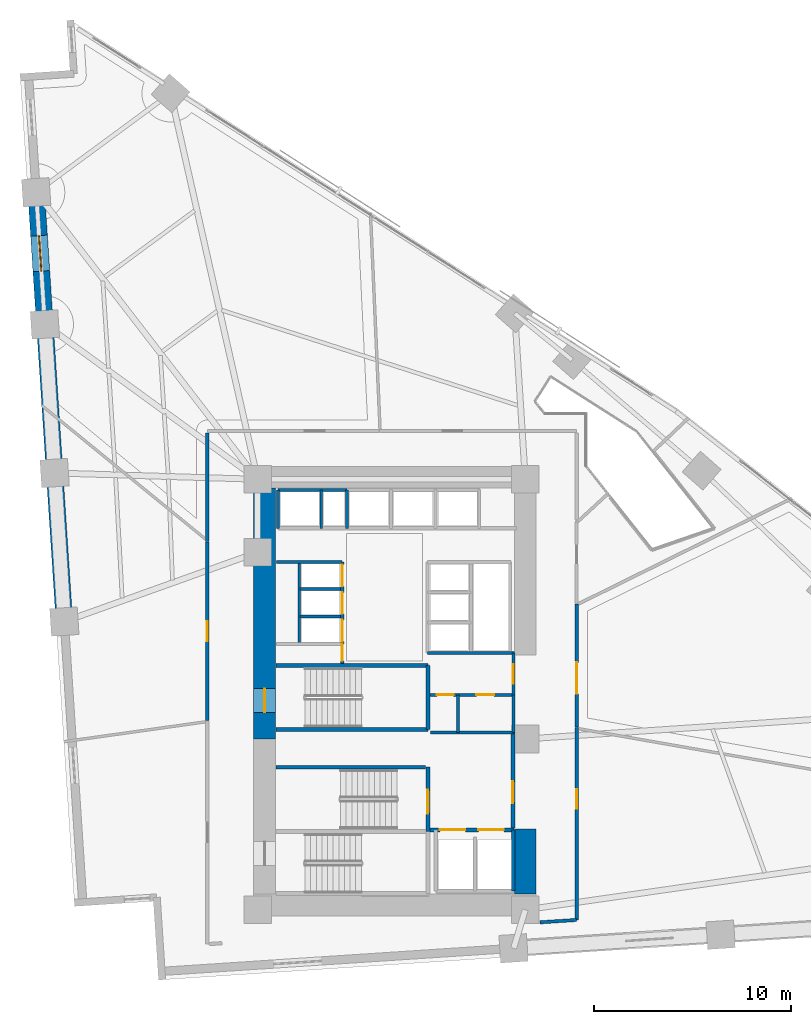
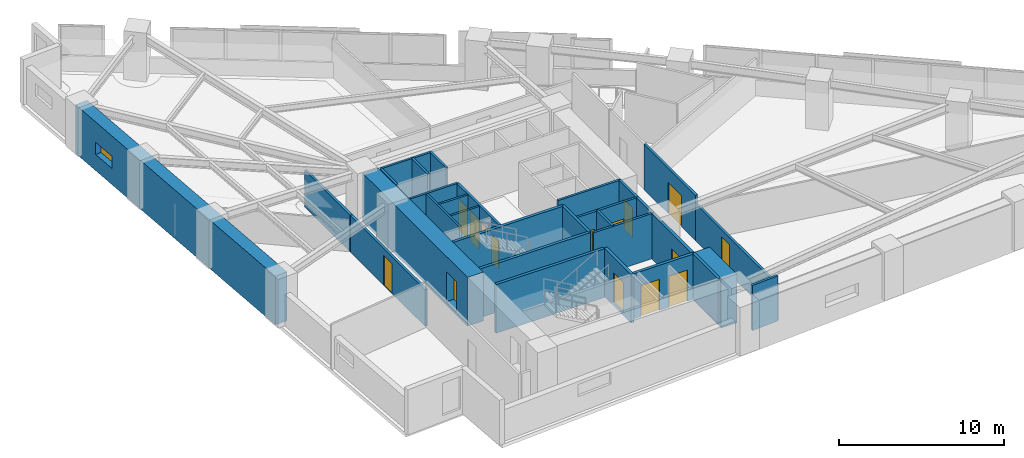
# One storey, part 11 of 15: 31 walls, 15 doors, 1 window, 16 openings.
"""IFC4 building model written with IfcOpenShell, lengths in metres."""

from ifc_helpers import new_model, si_unit, direction, frame, frame_2d, origin, place, context, subcontext, project, spatial, rectangle, extrude, material, layer, layer_set, type_object, element, fill, save


model = new_model("IFC4")

# Units and contexts
model_context = context("Model", 3, precision=1e-05, world=origin(), true_north=direction((0.0, 1.0)))
body_context = subcontext(model_context, "Body", "Model", "MODEL_VIEW")
ifc_project = project(units=[si_unit("LENGTHUNIT", "METRE"), si_unit("AREAUNIT", "SQUARE_METRE"), si_unit("VOLUMEUNIT", "CUBIC_METRE"), si_unit("PLANEANGLEUNIT", "RADIAN"), si_unit("MASSUNIT", "GRAM", prefix="KILO")], contexts=[model_context])

# Site, building, storey
site_placement = place(None, origin())
site = spatial("IfcSite", under=ifc_project, at=site_placement, CompositionType="ELEMENT")
building_placement = place(site_placement, origin())
building = spatial("IfcBuilding", under=site, at=building_placement, Name="Narakoshi Arena Tower", CompositionType="ELEMENT")
storey_placement = place(building_placement, frame((0.0, 0.0, 74.10009765625)))
storey = spatial("IfcBuildingStorey", under=building, at=storey_placement, Name="L19", CompositionType="ELEMENT", Elevation=74.10009765625)

# Wall
ifc_material_1 = material(Name="Concrete C60/75", Category="concrete")
ifc_layer_1 = layer(ifc_material_1, 1.10009765625)
ifc_layer_set_1 = layer_set([ifc_layer_1], Name="Concrete C60/75")
wall_type_1 = type_object("IfcWallType", Name="WL-CORE-1100", PredefinedType="SHEAR", material=ifc_layer_set_1)
wall_1_placement = place(storey_placement, frame((85.550048828125, 35.5, -0.260009765625), z_axis=(0.0, 0.0, 1.0), x_axis=(0.0, 1.0, 0.0)))
element("IfcWall", 1, at=wall_1_placement, inside=storey, type_object=wall_type_1, Name="L19 Central Core Shear Wall CW-APX-E", PredefinedType="SHEAR", context=body_context, shape_type="SweptSolid", body=[
    extrude(rectangle(XDim=3.300048828125, YDim=1.10009765625, at=frame_2d((1.64990234375, 0.0))), origin(), (0.0, 0.0, 1.0), 3.599853515625),
])

# Wall, opening, door
wall_2_placement = place(storey_placement, frame((72.35009765625, 43.35009765625, -0.260009765625), z_axis=(0.0, 0.0, 1.0), x_axis=(0.0, 1.0, 0.0)))
wall_2 = element("IfcWall", 2, at=wall_2_placement, inside=storey, type_object=wall_type_1, Name="L19 Main Core Shear Wall CW-MN-W", PredefinedType="SHEAR", context=body_context, shape_type="SweptSolid", body=[
    extrude(rectangle(XDim=12.699951171875, YDim=1.10009765625, at=frame_2d((6.35009765625, 0.0))), origin(), (0.0, 0.0, 1.0), 3.599853515625),
])
opening_1_placement = place(wall_2_placement, frame((1.35009765625, 0.0, 0.260009765625)))
opening_1 = element("IfcOpeningElement", 3, at=opening_1_placement, cuts=wall_2, Name="Opening D-03", PredefinedType="OPENING", context=body_context, shape_type="SweptSolid", body=[
    extrude(rectangle(XDim=1.199951171875, YDim=2.199951171875, at=frame_2d((0.60009765625, 1.10009765625))), frame((0.0, 0.56005859375, 0.0), z_axis=(0.0, -1.0, 0.0), x_axis=(1.0, 0.0, 0.0)), (0.0, 0.0, 1.0), 1.1201171875),
])
ifc_material_2 = material(Name="Painted galvanized steel", Category="steel")
door_type_1 = type_object("IfcDoorType", Name="DR-STR-1200", OperationType="NOTDEFINED", PredefinedType="USERDEFINED", material=ifc_material_2)
door_1_placement = place(opening_1_placement, frame((1.199951171875, 0.0, 0.0), z_axis=(0.0, 0.0, 1.0), x_axis=(-1.0, 0.0, 0.0)))
door_1 = element("IfcDoor", 4, at=door_1_placement, inside=storey, type_object=door_type_1, Name="DR-L19-006", ObjectType="EXITDOOR", OperationType="SINGLE_SWING_LEFT", OverallHeight=2.199951171875, OverallWidth=1.199951171875, PredefinedType="USERDEFINED", context=body_context, shape_type="SweptSolid", body=[
    extrude(rectangle(XDim=1.199951171875, YDim=2.199951171875, at=frame_2d((0.60009765625, 1.10009765625))), frame((0.0, 0.02490234375, 0.0), z_axis=(0.0, -1.0, 0.0), x_axis=(1.0, 0.0, 0.0)), (0.0, 0.0, 1.0), 0.050048828125),
])
fill(opening_1, door_1)

ifc_material_3 = material(Name="Gypsum plasterboard fire-rated partition")
ifc_layer_2 = layer(ifc_material_3, 0.1650390625)
ifc_layer_set_2 = layer_set([ifc_layer_2], Name="Gypsum plasterboard fire-rated partition")
wall_type_2 = type_object("IfcWallType", Name="WL-CORR-165", PredefinedType="PARTITIONING", material=ifc_layer_set_2)
wall_3_placement = place(storey_placement, frame((84.949951171875, 45.580078125, 0.0), z_axis=(0.0, 0.0, 1.0), x_axis=(0.0, 1.0, 0.0)))
wall_3 = element("IfcWall", 5, at=wall_3_placement, inside=storey, type_object=wall_type_2, Name="L19 Core Wall CPAS-E", PredefinedType="PARTITIONING", context=body_context, shape_type="SweptSolid", body=[
    extrude(rectangle(XDim=2.119873046875, YDim=0.1650390625, at=frame_2d((1.06005859375, 0.0))), origin(), (0.0, 0.0, 1.0), 3.33984375),
])
opening_2_placement = place(wall_3_placement, frame((0.56005859375, 0.0, 0.0)))
opening_2 = element("IfcOpeningElement", 6, at=opening_2_placement, cuts=wall_3, Name="Opening D-06", PredefinedType="OPENING", context=body_context, shape_type="SweptSolid", body=[
    extrude(rectangle(XDim=1.0, YDim=2.199951171875, at=frame_2d((0.5, 1.10009765625))), frame((0.0, 0.092529296875, 0.0), z_axis=(0.0, -1.0, 0.0), x_axis=(1.0, 0.0, 0.0)), (0.0, 0.0, 1.0), 0.18505859375),
])
ifc_material_4 = material(Name="Stained oak solid-core timber", Category="wood")
door_type_2 = type_object("IfcDoorType", Name="DR-OFF-1000", OperationType="NOTDEFINED", PredefinedType="DOOR", material=ifc_material_4)
door_2_placement = place(opening_2_placement, frame((1.0, 0.0, 0.0), z_axis=(0.0, 0.0, 1.0), x_axis=(-1.0, 0.0, 0.0)))
door_2 = element("IfcDoor", 7, at=door_2_placement, inside=storey, type_object=door_type_2, Name="DR-L19-007", OperationType="SINGLE_SWING_LEFT", OverallHeight=2.199951171875, OverallWidth=1.0, PredefinedType="DOOR", context=body_context, shape_type="SweptSolid", body=[
    extrude(rectangle(XDim=1.0, YDim=2.199951171875, at=frame_2d((0.5, 1.10009765625))), frame((0.0, 0.02490234375, 0.0), z_axis=(0.0, -1.0, 0.0), x_axis=(1.0, 0.0, 0.0)), (0.0, 0.0, 1.0), 0.050048828125),
])
fill(opening_2, door_2)

wall_4_placement = place(storey_placement, frame((88.14990234375, 34.187744140625, 0.0), z_axis=(0.0, 0.0, 1.0), x_axis=(0.0, 1.0, 0.0)))
wall_4 = element("IfcWall", 8, at=wall_4_placement, inside=storey, type_object=wall_type_2, Name="L19 Corridor Partition 02-1", PredefinedType="PARTITIONING", context=body_context, shape_type="SweptSolid", body=[
    extrude(rectangle(XDim=9.738037109375, YDim=0.1650390625, at=frame_2d((4.869140625, 0.0))), origin(), (0.0, 0.0, 1.0), 2.724853515625),
])
opening_3_placement = place(wall_4_placement, frame((5.619873046875, 0.0, 0.0)))
opening_3 = element("IfcOpeningElement", 9, at=opening_3_placement, cuts=wall_4, Name="Opening D-06", PredefinedType="OPENING", context=body_context, shape_type="SweptSolid", body=[
    extrude(rectangle(XDim=1.0, YDim=2.199951171875, at=frame_2d((0.5, 1.10009765625))), frame((0.0, 0.092529296875, 0.0), z_axis=(0.0, -1.0, 0.0), x_axis=(1.0, 0.0, 0.0)), (0.0, 0.0, 1.0), 0.18505859375),
])
door_3_placement = place(opening_3_placement, frame((1.0, 0.0, 0.0), z_axis=(0.0, 0.0, 1.0), x_axis=(-1.0, 0.0, 0.0)))
door_3 = element("IfcDoor", 10, at=door_3_placement, inside=storey, type_object=door_type_2, Name="DR-L19-015", OperationType="SINGLE_SWING_RIGHT", OverallHeight=2.199951171875, OverallWidth=1.0, PredefinedType="DOOR", context=body_context, shape_type="SweptSolid", body=[
    extrude(rectangle(XDim=1.0, YDim=2.199951171875, at=frame_2d((0.5, 1.10009765625))), frame((0.0, 0.02490234375, 0.0), z_axis=(0.0, -1.0, 0.0), x_axis=(1.0, 0.0, 0.0)), (0.0, 0.0, 1.0), 0.050048828125),
])
fill(opening_3, door_3)

# Wall
wall_5_placement = place(storey_placement, frame((86.300048828125, 34.066650390625, 0.0), z_axis=(0.0, 0.0, 1.0), x_axis=(0.997864272965, 0.065321456961, 0.0)))
element("IfcWall", 11, at=wall_5_placement, inside=storey, type_object=wall_type_2, Name="L19 Corridor Partition 02-2", PredefinedType="PARTITIONING", context=body_context, shape_type="SweptSolid", body=[
    extrude(rectangle(XDim=1.853759765625, YDim=0.1650390625, at=frame_2d((0.9267578125, 0.0))), origin(), (0.0, 0.0, 1.0), 3.33984375),
])

# Wall, opening, door
wall_6_placement = place(storey_placement, frame((88.14990234375, 43.9501953125, 0.0), z_axis=(0.0, 0.0, 1.0), x_axis=(0.0, 1.0, 0.0)))
wall_6 = element("IfcWall", 12, at=wall_6_placement, inside=storey, type_object=wall_type_2, Name="L19 Corridor Partition 03-1", PredefinedType="PARTITIONING", context=body_context, shape_type="SweptSolid", body=[
    extrude(rectangle(XDim=6.22705078125, YDim=0.1650390625, at=frame_2d((3.113525390625, 0.0))), origin(), (0.0, 0.0, 1.0), 3.33984375),
])
opening_4_placement = place(wall_6_placement, frame((1.679443359375, 0.0, 0.0)))
opening_4 = element("IfcOpeningElement", 13, at=opening_4_placement, cuts=wall_6, Name="Opening D-05", PredefinedType="OPENING", context=body_context, shape_type="SweptSolid", body=[
    extrude(rectangle(XDim=1.60009765625, YDim=2.300048828125, at=frame_2d((0.800048828125, 1.14990234375))), frame((0.0, 0.092529296875, 0.0), z_axis=(0.0, -1.0, 0.0), x_axis=(1.0, 0.0, 0.0)), (0.0, 0.0, 1.0), 0.18505859375),
])
door_type_3 = type_object("IfcDoorType", Name="DR-STE-1600", OperationType="DOUBLE_DOOR_SINGLE_SWING", PredefinedType="DOOR", material=ifc_material_4)
door_4_placement = place(opening_4_placement, frame((1.60009765625, 0.0, 0.0), z_axis=(0.0, 0.0, 1.0), x_axis=(-1.0, 0.0, 0.0)))
door_4 = element("IfcDoor", 14, at=door_4_placement, inside=storey, type_object=door_type_3, Name="DR-L19-016", OperationType="DOUBLE_DOOR_SINGLE_SWING", OverallHeight=2.300048828125, OverallWidth=1.60009765625, PredefinedType="DOOR", context=body_context, shape_type="SweptSolid", body=[
    extrude(rectangle(XDim=1.60009765625, YDim=2.300048828125, at=frame_2d((0.800048828125, 1.14990234375))), frame((0.0, 0.02490234375, 0.0), z_axis=(0.0, -1.0, 0.0), x_axis=(1.0, 0.0, 0.0)), (0.0, 0.0, 1.0), 0.050048828125),
])
fill(opening_4, door_4)

# Wall
wall_7_placement = place(storey_placement, frame((69.449951171875, 58.85546875, 0.0), z_axis=(0.0, 0.0, 1.0), x_axis=(0.0, -1.0, 0.0)))
element("IfcWall", 15, at=wall_7_placement, inside=storey, type_object=wall_type_2, Name="L19 Corridor Partition 06-2", PredefinedType="PARTITIONING", context=body_context, shape_type="SweptSolid", body=[
    extrude(rectangle(XDim=5.5068359375, YDim=0.1650390625, at=frame_2d((2.75341796875, 0.0))), origin(), (0.0, 0.0, 1.0), 2.724853515625),
])

# Wall, opening, door
wall_8_placement = place(storey_placement, frame((69.449951171875, 53.3173828125, 0.0), z_axis=(0.0, 0.0, 1.0), x_axis=(0.0, -1.0, 0.0)))
wall_8 = element("IfcWall", 16, at=wall_8_placement, inside=storey, type_object=wall_type_2, Name="L19 Corridor Partition 07-1", PredefinedType="PARTITIONING", context=body_context, shape_type="SweptSolid", body=[
    extrude(rectangle(XDim=9.025390625, YDim=0.1650390625, at=frame_2d((4.5126953125, 0.0))), origin(), (0.0, 0.0, 1.0), 2.724853515625),
])
opening_5_placement = place(wall_8_placement, frame((4.0126953125, 0.0, 0.0)))
opening_5 = element("IfcOpeningElement", 17, at=opening_5_placement, cuts=wall_8, Name="Opening D-06", PredefinedType="OPENING", context=body_context, shape_type="SweptSolid", body=[
    extrude(rectangle(XDim=1.0, YDim=2.199951171875, at=frame_2d((0.5, 1.10009765625))), frame((0.0, 0.092529296875, 0.0), z_axis=(0.0, -1.0, 0.0), x_axis=(1.0, 0.0, 0.0)), (0.0, 0.0, 1.0), 0.18505859375),
])
door_5_placement = place(opening_5_placement, frame((1.0, 0.0, 0.0), z_axis=(0.0, 0.0, 1.0), x_axis=(-1.0, 0.0, 0.0)))
door_5 = element("IfcDoor", 18, at=door_5_placement, inside=storey, type_object=door_type_2, Name="DR-L19-020", OperationType="SINGLE_SWING_LEFT", OverallHeight=2.199951171875, OverallWidth=1.0, PredefinedType="DOOR", context=body_context, shape_type="SweptSolid", body=[
    extrude(rectangle(XDim=1.0, YDim=2.199951171875, at=frame_2d((0.5, 1.10009765625))), frame((0.0, 0.02490234375, 0.0), z_axis=(0.0, -1.0, 0.0), x_axis=(1.0, 0.0, 0.0)), (0.0, 0.0, 1.0), 0.050048828125),
])
fill(opening_5, door_5)

# Wall, opening, window
ifc_layer_3 = layer(ifc_material_1, 0.85009765625)
ifc_layer_set_3 = layer_set([ifc_layer_3], Name="Concrete C60/75")
wall_type_3 = type_object("IfcWallType", Name="WL-LEG-850", PredefinedType="SHEAR", material=ifc_layer_set_3)
wall_9_placement = place(storey_placement, frame((60.785400390625, 71.031005859375, -0.260009765625), z_axis=(0.0, 0.0, 1.0), x_axis=(0.065409824833, -0.997858484363, 0.0)))
wall_9 = element("IfcWall", 19, at=wall_9_placement, inside=storey, type_object=wall_type_3, Name="L19 Architectural Concrete Structural Wall LEGB-2", PredefinedType="SHEAR", context=body_context, shape_type="SweptSolid", body=[
    extrude(rectangle(XDim=21.78271484375, YDim=0.85009765625, at=frame_2d((10.891357421875, 0.0))), origin(), (0.0, 0.0, 1.0), 3.599853515625),
])
opening_6_placement = place(wall_9_placement, frame((2.199951171875, 0.0, 1.199951171875)))
opening_6 = element("IfcOpeningElement", 20, at=opening_6_placement, cuts=wall_9, Name="Opening WN-02", PredefinedType="OPENING", context=body_context, shape_type="SweptSolid", body=[
    extrude(rectangle(XDim=1.800048828125, YDim=0.89990234375, at=frame_2d((0.89990234375, 0.449951171875))), frame((0.0, 0.43505859375, 0.0), z_axis=(0.0, -1.0, 0.0), x_axis=(1.0, 0.0, 0.0)), (0.0, 0.0, 1.0), 0.8701171875),
])
ifc_material_5 = material(Name="Bronze-tinted low-E laminated glass", Category="glass")
window_type = type_object("IfcWindowType", Name="WIN-SLT-18x09", PartitioningType="SINGLE_PANEL", PredefinedType="WINDOW", material=ifc_material_5)
window_placement = place(opening_6_placement, origin())
window = element("IfcWindow", 21, at=window_placement, inside=storey, type_object=window_type, Name="L19 LEGB2 Horizontal Slot Window 1", OverallHeight=0.89990234375, OverallWidth=1.800048828125, PartitioningType="SINGLE_PANEL", PredefinedType="WINDOW", context=body_context, shape_type="SweptSolid", body=[
    extrude(rectangle(XDim=1.800048828125, YDim=0.89990234375, at=frame_2d((0.89990234375, 0.449951171875))), frame((0.0, 0.030029296875, 0.0), z_axis=(0.0, -1.0, 0.0), x_axis=(1.0, 0.0, 0.0)), (0.0, 0.0, 1.0), 0.06005859375),
])
fill(opening_6, window)

# Wall
ifc_material_6 = material(Name="Concrete C40/50", Category="concrete")
ifc_layer_4 = layer(ifc_material_6, 0.280029296875)
ifc_layer_set_4 = layer_set([ifc_layer_4], Name="Concrete C40/50")
wall_type_4 = type_object("IfcWallType", Name="WL-RISER-280", PredefinedType="PLUMBINGWALL", material=ifc_layer_set_4)
wall_10_placement = place(storey_placement, frame((84.949951171875, 43.679931640625, 0.0), z_axis=(0.0, 0.0, 1.0), x_axis=(0.0, 1.0, 0.0)))
element("IfcWall", 22, at=wall_10_placement, inside=storey, type_object=wall_type_4, Name="L19 Core Wall RSR-E", PredefinedType="PLUMBINGWALL", context=body_context, shape_type="SweptSolid", body=[
    extrude(rectangle(XDim=1.900146484375, YDim=0.1650390625, at=frame_2d((0.9501953125, 0.0))), origin(), (0.0, 0.0, 1.0), 3.33984375),
])

# Wall, openings, doors
wall_11_placement = place(storey_placement, frame((80.719970703125, 45.580078125, 0.0), z_axis=(0.0, 0.0, 1.0), x_axis=(1.0, 0.0, 0.0)))
wall_11 = element("IfcWall", 23, at=wall_11_placement, inside=storey, type_object=wall_type_4, Name="L19 Core Wall RSR-N", PredefinedType="PLUMBINGWALL", context=body_context, shape_type="SweptSolid", body=[
    extrude(rectangle(XDim=4.22998046875, YDim=0.159912109375, at=frame_2d((2.114990234375, 0.0))), origin(), (0.0, 0.0, 1.0), 3.33984375),
])
opening_7_placement = place(wall_11_placement, frame((0.35009765625, 0.0, 0.0)))
opening_7 = element("IfcOpeningElement", 24, at=opening_7_placement, cuts=wall_11, Name="Opening D-10", PredefinedType="OPENING", context=body_context, shape_type="SweptSolid", body=[
    extrude(rectangle(XDim=0.85009765625, YDim=2.050048828125, at=frame_2d((0.425048828125, 1.02490234375))), frame((0.0, 0.08984375, 0.0), z_axis=(0.0, -1.0, 0.0), x_axis=(1.0, 0.0, 0.0)), (0.0, 0.0, 1.0), 0.179931640625),
])
opening_8_placement = place(wall_11_placement, frame((2.35009765625, 0.0, 0.0)))
opening_8 = element("IfcOpeningElement", 25, at=opening_8_placement, cuts=wall_11, Name="Opening D-08", PredefinedType="OPENING", context=body_context, shape_type="SweptSolid", body=[
    extrude(rectangle(XDim=0.89990234375, YDim=2.10009765625, at=frame_2d((0.449951171875, 1.050048828125))), frame((0.0, 0.08984375, 0.0), z_axis=(0.0, -1.0, 0.0), x_axis=(1.0, 0.0, 0.0)), (0.0, 0.0, 1.0), 0.179931640625),
])
door_type_4 = type_object("IfcDoorType", Name="DR-RSR-850", OperationType="NOTDEFINED", PredefinedType="DOOR", material=ifc_material_2)
door_6_placement = place(opening_7_placement, frame((0.85009765625, 0.0, 0.0), z_axis=(0.0, 0.0, 1.0), x_axis=(-1.0, 0.0, 0.0)))
door_6 = element("IfcDoor", 26, at=door_6_placement, inside=storey, type_object=door_type_4, Name="DR-L19-008", OperationType="SINGLE_SWING_LEFT", OverallHeight=2.050048828125, OverallWidth=0.85009765625, PredefinedType="DOOR", context=body_context, shape_type="SweptSolid", body=[
    extrude(rectangle(XDim=0.85009765625, YDim=2.050048828125, at=frame_2d((0.425048828125, 1.02490234375))), frame((0.0, 0.02490234375, 0.0), z_axis=(0.0, -1.0, 0.0), x_axis=(1.0, 0.0, 0.0)), (0.0, 0.0, 1.0), 0.050048828125),
])
fill(opening_7, door_6)
ifc_material_7 = material(Name="Moisture-resistant laminate timber", Category="wood")
door_type_5 = type_object("IfcDoorType", Name="DR-WC-900", OperationType="NOTDEFINED", PredefinedType="DOOR", material=ifc_material_7)
door_7_placement = place(opening_8_placement, frame((0.89990234375, 0.0, 0.0), z_axis=(0.0, 0.0, 1.0), x_axis=(-1.0, 0.0, 0.0)))
door_7 = element("IfcDoor", 27, at=door_7_placement, inside=storey, type_object=door_type_5, Name="DR-L19-009", OperationType="SINGLE_SWING_RIGHT", OverallHeight=2.10009765625, OverallWidth=0.89990234375, PredefinedType="DOOR", context=body_context, shape_type="SweptSolid", body=[
    extrude(rectangle(XDim=0.89990234375, YDim=2.10009765625, at=frame_2d((0.449951171875, 1.050048828125))), frame((0.0, 0.02490234375, 0.0), z_axis=(0.0, -1.0, 0.0), x_axis=(1.0, 0.0, 0.0)), (0.0, 0.0, 1.0), 0.050048828125),
])
fill(opening_8, door_7)

# Walls
wall_12_placement = place(storey_placement, frame((80.760009765625, 43.679931640625, 0.0), z_axis=(0.0, 0.0, 1.0), x_axis=(1.0, 0.0, 0.0)))
element("IfcWall", 28, at=wall_12_placement, inside=storey, type_object=wall_type_4, Name="L19 Core Wall RSR-S", PredefinedType="PLUMBINGWALL", context=body_context, shape_type="SweptSolid", body=[
    extrude(rectangle(XDim=4.18994140625, YDim=0.159912109375, at=frame_2d((2.094970703125, 0.0))), origin(), (0.0, 0.0, 1.0), 3.33984375),
])
wall_13_placement = place(storey_placement, frame((82.14990234375, 43.679931640625, 0.0), z_axis=(0.0, 0.0, 1.0), x_axis=(0.0, 1.0, 0.0)))
element("IfcWall", 29, at=wall_13_placement, inside=storey, type_object=wall_type_4, Name="L19 Core Wall RSR-M", PredefinedType="PLUMBINGWALL", context=body_context, shape_type="SweptSolid", body=[
    extrude(rectangle(XDim=1.900146484375, YDim=0.159912109375, at=frame_2d((0.9501953125, 0.0))), origin(), (0.0, 0.0, 1.0), 3.33984375),
])
for number, where, z_axis, x_axis, name in (
    (30, (74.14990234375, 49.550048828125, 0.0), (0.0, 0.0, 1.0), (1.0, 0.0, 0.0), "L19 Core Wall LR-D1"),
    (31, (74.14990234375, 50.949951171875, 0.0), (0.0, 0.0, 1.0), (1.0, 0.0, 0.0), "L19 Core Wall LR-D2"),
):
    element("IfcWall", number, at=place(storey_placement, frame(where, z_axis=z_axis, x_axis=x_axis)), inside=storey, type_object=wall_type_4, Name=name, PredefinedType="PLUMBINGWALL", context=body_context, shape_type="SweptSolid", body=[
        extrude(rectangle(XDim=2.0400390625, YDim=0.139892578125, at=frame_2d((1.02001953125, 0.0))), origin(), (0.0, 0.0, 1.0), 3.33984375),
    ])
wall_14_placement = place(storey_placement, frame((74.10009765625, 48.159912109375, 0.0), z_axis=(0.0, 0.0, 1.0), x_axis=(0.0, 1.0, 0.0)))
element("IfcWall", 32, at=wall_14_placement, inside=storey, type_object=wall_type_4, Name="L19 Core Wall LR-W", PredefinedType="PLUMBINGWALL", context=body_context, shape_type="SweptSolid", body=[
    extrude(rectangle(XDim=4.16015625, YDim=0.139892578125, at=frame_2d((2.080078125, 0.0))), origin(), (0.0, 0.0, 1.0), 3.33984375),
])
for number, where, z_axis, x_axis, name in (
    (33, (73.02001953125, 54.02001953125, 0.0), (0.0, 0.0, 1.0), (0.0, 1.0, 0.0), "L19 Core Wall OBS-W"),
    (34, (75.219970703125, 54.02001953125, 0.0), (0.0, 0.0, 1.0), (0.0, 1.0, 0.0), "L19 Core Wall OBS-M"),
):
    element("IfcWall", number, at=place(storey_placement, frame(where, z_axis=z_axis, x_axis=x_axis)), inside=storey, type_object=wall_type_4, Name=name, PredefinedType="PLUMBINGWALL", context=body_context, shape_type="SweptSolid", body=[
        extrude(rectangle(XDim=1.93994140625, YDim=0.14990234375, at=frame_2d((0.969970703125, 0.0))), origin(), (0.0, 0.0, 1.0), 3.33984375),
    ])

# Wall, opening, door
ifc_material_8 = material(Name="Concrete C50/60", Category="concrete")
ifc_layer_5 = layer(ifc_material_8, 0.35009765625)
ifc_layer_set_5 = layer_set([ifc_layer_5], Name="Concrete C50/60")
wall_type_5 = type_object("IfcWallType", Name="WL-SHAFT-350", PredefinedType="SOLIDWALL", material=ifc_layer_set_5)
wall_15_placement = place(storey_placement, frame((80.6201171875, 38.675048828125, -0.260009765625), z_axis=(0.0, 0.0, 1.0), x_axis=(0.0, 1.0, 0.0)))
wall_15 = element("IfcWall", 35, at=wall_15_placement, inside=storey, type_object=wall_type_5, Name="L19 Core Wall ST2-E", PredefinedType="SOLIDWALL", context=body_context, shape_type="SweptSolid", body=[
    extrude(rectangle(XDim=3.244873046875, YDim=0.199951171875, at=frame_2d((1.62255859375, 0.0))), origin(), (0.0, 0.0, 1.0), 3.599853515625),
])
opening_9_placement = place(wall_15_placement, frame((0.89990234375, 0.0, 0.260009765625)))
opening_9 = element("IfcOpeningElement", 36, at=opening_9_placement, cuts=wall_15, Name="Opening D-03", PredefinedType="OPENING", context=body_context, shape_type="SweptSolid", body=[
    extrude(rectangle(XDim=1.199951171875, YDim=2.199951171875, at=frame_2d((0.60009765625, 1.10009765625))), frame((0.0, 0.10986328125, 0.0), z_axis=(0.0, -1.0, 0.0), x_axis=(1.0, 0.0, 0.0)), (0.0, 0.0, 1.0), 0.219970703125),
])
door_8_placement = place(opening_9_placement, origin())
door_8 = element("IfcDoor", 37, at=door_8_placement, inside=storey, type_object=door_type_1, Name="DR-L19-002", ObjectType="EXITDOOR", OperationType="SINGLE_SWING_RIGHT", OverallHeight=2.199951171875, OverallWidth=1.199951171875, PredefinedType="USERDEFINED", context=body_context, shape_type="SweptSolid", body=[
    extrude(rectangle(XDim=1.199951171875, YDim=2.199951171875, at=frame_2d((0.60009765625, 1.10009765625))), frame((0.0, 0.02490234375, 0.0), z_axis=(0.0, -1.0, 0.0), x_axis=(1.0, 0.0, 0.0)), (0.0, 0.0, 1.0), 0.050048828125),
])
fill(opening_9, door_8)

# Wall, openings, doors
wall_16_placement = place(storey_placement, frame((80.719970703125, 38.75, 0.0), z_axis=(0.0, 0.0, 1.0), x_axis=(1.0, 0.0, 0.0)))
wall_16 = element("IfcWall", 38, at=wall_16_placement, inside=storey, type_object=wall_type_5, Name="L19 Core Wall FF-N", PredefinedType="SOLIDWALL", context=body_context, shape_type="SweptSolid", body=[
    extrude(rectangle(XDim=4.260009765625, YDim=0.199951171875, at=frame_2d((2.1298828125, 0.0))), origin(), (0.0, 0.0, 1.0), 3.33984375),
])
opening_10_placement = place(wall_16_placement, frame((0.5, 0.0, 0.0)))
opening_10 = element("IfcOpeningElement", 39, at=opening_10_placement, cuts=wall_16, Name="Opening LD-02", PredefinedType="OPENING", context=body_context, shape_type="SweptSolid", body=[
    extrude(rectangle(XDim=1.300048828125, YDim=2.300048828125, at=frame_2d((0.64990234375, 1.14990234375))), frame((0.0, 0.10986328125, 0.0), z_axis=(0.0, -1.0, 0.0), x_axis=(1.0, 0.0, 0.0)), (0.0, 0.0, 1.0), 0.219970703125),
])
opening_11_placement = place(wall_16_placement, frame((2.449951171875, 0.0, 0.0)))
opening_11 = element("IfcOpeningElement", 40, at=opening_11_placement, cuts=wall_16, Name="Opening LD-02", PredefinedType="OPENING", context=body_context, shape_type="SweptSolid", body=[
    extrude(rectangle(XDim=1.300048828125, YDim=2.300048828125, at=frame_2d((0.64990234375, 1.14990234375))), frame((0.0, 0.10986328125, 0.0), z_axis=(0.0, -1.0, 0.0), x_axis=(1.0, 0.0, 0.0)), (0.0, 0.0, 1.0), 0.219970703125),
])
ifc_material_9 = material(Name="Brushed bronze stainless steel", Category="steel")
door_type_6 = type_object("IfcDoorType", Name="DR-LFT-1300", OperationType="DOUBLE_DOOR_SLIDING", PredefinedType="DOOR", material=ifc_material_9)
door_9_placement = place(opening_10_placement, origin())
door_9 = element("IfcDoor", 41, at=door_9_placement, inside=storey, type_object=door_type_6, Name="DR-L19-003", OperationType="DOUBLE_DOOR_SLIDING", OverallHeight=2.300048828125, OverallWidth=1.300048828125, PredefinedType="DOOR", context=body_context, shape_type="SweptSolid", body=[
    extrude(rectangle(XDim=1.300048828125, YDim=2.300048828125, at=frame_2d((0.64990234375, 1.14990234375))), frame((0.0, 0.02490234375, 0.0), z_axis=(0.0, -1.0, 0.0), x_axis=(1.0, 0.0, 0.0)), (0.0, 0.0, 1.0), 0.050048828125),
])
fill(opening_10, door_9)
door_10_placement = place(opening_11_placement, origin())
door_10 = element("IfcDoor", 42, at=door_10_placement, inside=storey, type_object=door_type_6, Name="DR-L19-004", OperationType="DOUBLE_DOOR_SLIDING", OverallHeight=2.300048828125, OverallWidth=1.300048828125, PredefinedType="DOOR", context=body_context, shape_type="SweptSolid", body=[
    extrude(rectangle(XDim=1.300048828125, YDim=2.300048828125, at=frame_2d((0.64990234375, 1.14990234375))), frame((0.0, 0.02490234375, 0.0), z_axis=(0.0, -1.0, 0.0), x_axis=(1.0, 0.0, 0.0)), (0.0, 0.0, 1.0), 0.050048828125),
])
fill(opening_11, door_10)

# Wall
wall_17_placement = place(storey_placement, frame((84.949951171875, 35.64990234375, 0.0), z_axis=(0.0, 0.0, 1.0), x_axis=(0.0, 1.0, 0.0)))
element("IfcWall", 43, at=wall_17_placement, inside=storey, type_object=wall_type_5, Name="L19 Core Wall FF-E", PredefinedType="SOLIDWALL", context=body_context, shape_type="SweptSolid", body=[
    extrude(rectangle(XDim=3.10009765625, YDim=0.179931640625, at=frame_2d((1.550048828125, 0.0))), origin(), (0.0, 0.0, 1.0), 3.33984375),
])

# Wall, opening, door
wall_18_placement = place(storey_placement, frame((84.919921875, 38.85009765625, 0.0), z_axis=(0.0, 0.0, 1.0), x_axis=(0.0, 1.0, 0.0)))
wall_18 = element("IfcWall", 44, at=wall_18_placement, inside=storey, type_object=wall_type_5, Name="L19 Core Wall FFLOB-E", PredefinedType="SOLIDWALL", context=body_context, shape_type="SweptSolid", body=[
    extrude(rectangle(XDim=4.829833984375, YDim=0.199951171875, at=frame_2d((2.4150390625, 0.0))), origin(), (0.0, 0.0, 1.0), 3.33984375),
])
opening_12_placement = place(wall_18_placement, frame((1.25, 0.0, 0.0)))
opening_12 = element("IfcOpeningElement", 45, at=opening_12_placement, cuts=wall_18, Name="Opening D-04", PredefinedType="OPENING", context=body_context, shape_type="SweptSolid", body=[
    extrude(rectangle(XDim=1.10009765625, YDim=2.199951171875, at=frame_2d((0.550048828125, 1.10009765625))), frame((0.0, 0.10986328125, 0.0), z_axis=(0.0, -1.0, 0.0), x_axis=(1.0, 0.0, 0.0)), (0.0, 0.0, 1.0), 0.219970703125),
])
door_type_7 = type_object("IfcDoorType", Name="DR-FFL-1100", OperationType="NOTDEFINED", PredefinedType="DOOR", material=ifc_material_2)
door_11_placement = place(opening_12_placement, frame((1.10009765625, 0.0, 0.0), z_axis=(0.0, 0.0, 1.0), x_axis=(-1.0, 0.0, 0.0)))
door_11 = element("IfcDoor", 46, at=door_11_placement, inside=storey, type_object=door_type_7, Name="DR-L19-005", OperationType="SINGLE_SWING_RIGHT", OverallHeight=2.199951171875, OverallWidth=1.10009765625, PredefinedType="DOOR", context=body_context, shape_type="SweptSolid", body=[
    extrude(rectangle(XDim=1.10009765625, YDim=2.199951171875, at=frame_2d((0.550048828125, 1.10009765625))), frame((0.0, 0.02490234375, 0.0), z_axis=(0.0, -1.0, 0.0), x_axis=(1.0, 0.0, 0.0)), (0.0, 0.0, 1.0), 0.050048828125),
])
fill(opening_12, door_11)

# Walls
wall_19_placement = place(storey_placement, frame((72.919921875, 41.919921875, -0.260009765625), z_axis=(0.0, 0.0, 1.0), x_axis=(1.0, 0.0, 0.0)))
element("IfcWall", 47, at=wall_19_placement, inside=storey, type_object=wall_type_5, Name="L19 Core Wall ST2-N", PredefinedType="SOLIDWALL", context=body_context, shape_type="SweptSolid", body=[
    extrude(rectangle(XDim=7.580078125, YDim=0.199951171875, at=frame_2d((3.7900390625, 0.0))), origin(), (0.0, 0.0, 1.0), 3.599853515625),
])
for number, where, z_axis, x_axis, name in (
    (48, (72.919921875, 43.830078125, -0.260009765625), (0.0, 0.0, 1.0), (1.0, 0.0, 0.0), "L19 Core Wall ST3-S"),
    (49, (72.919921875, 47.070068359375, -0.260009765625), (0.0, 0.0, 1.0), (1.0, 0.0, 0.0), "L19 Core Wall ST3-N"),
):
    element("IfcWall", number, at=place(storey_placement, frame(where, z_axis=z_axis, x_axis=x_axis)), inside=storey, type_object=wall_type_5, Name=name, PredefinedType="SOLIDWALL", context=body_context, shape_type="SweptSolid", body=[
        extrude(rectangle(XDim=7.7001953125, YDim=0.199951171875, at=frame_2d((3.85009765625, 0.0))), origin(), (0.0, 0.0, 1.0), 3.599853515625),
    ])
wall_20_placement = place(storey_placement, frame((80.6201171875, 43.830078125, -0.260009765625), z_axis=(0.0, 0.0, 1.0), x_axis=(0.0, 1.0, 0.0)))
element("IfcWall", 50, at=wall_20_placement, inside=storey, type_object=wall_type_5, Name="L19 Core Wall ST3-E", PredefinedType="SOLIDWALL", context=body_context, shape_type="SweptSolid", body=[
    extrude(rectangle(XDim=3.239990234375, YDim=0.199951171875, at=frame_2d((1.6201171875, 0.0))), origin(), (0.0, 0.0, 1.0), 3.599853515625),
])

# Wall, openings, doors
wall_21_placement = place(storey_placement, frame((76.280029296875, 47.179931640625, 0.0), z_axis=(0.0, 0.0, 1.0), x_axis=(0.0, 1.0, 0.0)))
wall_21 = element("IfcWall", 51, at=wall_21_placement, inside=storey, type_object=wall_type_5, Name="L19 Core Wall LR-E", PredefinedType="SOLIDWALL", context=body_context, shape_type="SweptSolid", body=[
    extrude(rectangle(XDim=5.14013671875, YDim=0.159912109375, at=frame_2d((2.570068359375, 0.0))), origin(), (0.0, 0.0, 1.0), 3.33984375),
])
opening_13_placement = place(wall_21_placement, frame((1.10009765625, 0.0, 0.0)))
opening_13 = element("IfcOpeningElement", 52, at=opening_13_placement, cuts=wall_21, Name="Opening LD-01", PredefinedType="OPENING", context=body_context, shape_type="SweptSolid", body=[
    extrude(rectangle(XDim=1.10009765625, YDim=2.25, at=frame_2d((0.550048828125, 1.125))), frame((0.0, 0.08984375, 0.0), z_axis=(0.0, -1.0, 0.0), x_axis=(1.0, 0.0, 0.0)), (0.0, 0.0, 1.0), 0.179931640625),
])
opening_14_placement = place(wall_21_placement, frame((2.5, 0.0, 0.0)))
opening_14 = element("IfcOpeningElement", 53, at=opening_14_placement, cuts=wall_21, Name="Opening LD-01", PredefinedType="OPENING", context=body_context, shape_type="SweptSolid", body=[
    extrude(rectangle(XDim=1.10009765625, YDim=2.25, at=frame_2d((0.550048828125, 1.125))), frame((0.0, 0.08984375, 0.0), z_axis=(0.0, -1.0, 0.0), x_axis=(1.0, 0.0, 0.0)), (0.0, 0.0, 1.0), 0.179931640625),
])
opening_15_placement = place(wall_21_placement, frame((3.89990234375, 0.0, 0.0)))
opening_15 = element("IfcOpeningElement", 54, at=opening_15_placement, cuts=wall_21, Name="Opening LD-01", PredefinedType="OPENING", context=body_context, shape_type="SweptSolid", body=[
    extrude(rectangle(XDim=1.10009765625, YDim=2.25, at=frame_2d((0.550048828125, 1.125))), frame((0.0, 0.08984375, 0.0), z_axis=(0.0, -1.0, 0.0), x_axis=(1.0, 0.0, 0.0)), (0.0, 0.0, 1.0), 0.179931640625),
])
opening_16_placement = place(wall_21_placement, frame((0.1201171875, 0.0, 0.0)))
opening_16 = element("IfcOpeningElement", 55, at=opening_16_placement, cuts=wall_21, Name="Opening D-10", PredefinedType="OPENING", context=body_context, shape_type="SweptSolid", body=[
    extrude(rectangle(XDim=0.85009765625, YDim=2.050048828125, at=frame_2d((0.425048828125, 1.02490234375))), frame((0.0, 0.08984375, 0.0), z_axis=(0.0, -1.0, 0.0), x_axis=(1.0, 0.0, 0.0)), (0.0, 0.0, 1.0), 0.179931640625),
])
door_type_8 = type_object("IfcDoorType", Name="DR-LFT-1100", OperationType="DOUBLE_DOOR_SLIDING", PredefinedType="DOOR", material=ifc_material_9)
door_12_placement = place(opening_13_placement, origin())
door_12 = element("IfcDoor", 56, at=door_12_placement, inside=storey, type_object=door_type_8, Name="DR-L19-010", OperationType="DOUBLE_DOOR_SLIDING", OverallHeight=2.25, OverallWidth=1.10009765625, PredefinedType="DOOR", context=body_context, shape_type="SweptSolid", body=[
    extrude(rectangle(XDim=1.10009765625, YDim=2.25, at=frame_2d((0.550048828125, 1.125))), frame((0.0, 0.02490234375, 0.0), z_axis=(0.0, -1.0, 0.0), x_axis=(1.0, 0.0, 0.0)), (0.0, 0.0, 1.0), 0.050048828125),
])
fill(opening_13, door_12)
door_13_placement = place(opening_14_placement, origin())
door_13 = element("IfcDoor", 57, at=door_13_placement, inside=storey, type_object=door_type_8, Name="DR-L19-011", OperationType="DOUBLE_DOOR_SLIDING", OverallHeight=2.25, OverallWidth=1.10009765625, PredefinedType="DOOR", context=body_context, shape_type="SweptSolid", body=[
    extrude(rectangle(XDim=1.10009765625, YDim=2.25, at=frame_2d((0.550048828125, 1.125))), frame((0.0, 0.02490234375, 0.0), z_axis=(0.0, -1.0, 0.0), x_axis=(1.0, 0.0, 0.0)), (0.0, 0.0, 1.0), 0.050048828125),
])
fill(opening_14, door_13)
door_14_placement = place(opening_15_placement, origin())
door_14 = element("IfcDoor", 58, at=door_14_placement, inside=storey, type_object=door_type_8, Name="DR-L19-012", OperationType="DOUBLE_DOOR_SLIDING", OverallHeight=2.25, OverallWidth=1.10009765625, PredefinedType="DOOR", context=body_context, shape_type="SweptSolid", body=[
    extrude(rectangle(XDim=1.10009765625, YDim=2.25, at=frame_2d((0.550048828125, 1.125))), frame((0.0, 0.02490234375, 0.0), z_axis=(0.0, -1.0, 0.0), x_axis=(1.0, 0.0, 0.0)), (0.0, 0.0, 1.0), 0.050048828125),
])
fill(opening_15, door_14)
door_15_placement = place(opening_16_placement, frame((0.85009765625, 0.0, 0.0), z_axis=(0.0, 0.0, 1.0), x_axis=(-1.0, 0.0, 0.0)))
door_15 = element("IfcDoor", 59, at=door_15_placement, inside=storey, type_object=door_type_4, Name="DR-L19-013", OperationType="SINGLE_SWING_LEFT", OverallHeight=2.050048828125, OverallWidth=0.85009765625, PredefinedType="DOOR", context=body_context, shape_type="SweptSolid", body=[
    extrude(rectangle(XDim=0.85009765625, YDim=2.050048828125, at=frame_2d((0.425048828125, 1.02490234375))), frame((0.0, 0.02490234375, 0.0), z_axis=(0.0, -1.0, 0.0), x_axis=(1.0, 0.0, 0.0)), (0.0, 0.0, 1.0), 0.050048828125),
])
fill(opening_16, door_15)

# Walls
wall_22_placement = place(storey_placement, frame((72.949951171875, 52.320068359375, 0.0), z_axis=(0.0, 0.0, 1.0), x_axis=(1.0, 0.0, 0.0)))
element("IfcWall", 60, at=wall_22_placement, inside=storey, type_object=wall_type_5, Name="L19 Core Wall LR-N", PredefinedType="SOLIDWALL", context=body_context, shape_type="SweptSolid", body=[
    extrude(rectangle(XDim=3.330078125, YDim=0.14990234375, at=frame_2d((1.6650390625, 0.0))), origin(), (0.0, 0.0, 1.0), 3.33984375),
])
wall_23_placement = place(storey_placement, frame((80.60009765625, 47.699951171875, 0.0), z_axis=(0.0, 0.0, 1.0), x_axis=(1.0, 0.0, 0.0)))
element("IfcWall", 61, at=wall_23_placement, inside=storey, type_object=wall_type_5, Name="L19 Core Wall MR-S", PredefinedType="SOLIDWALL", context=body_context, shape_type="SweptSolid", body=[
    extrude(rectangle(XDim=4.39990234375, YDim=0.159912109375, at=frame_2d((2.199951171875, 0.0))), origin(), (0.0, 0.0, 1.0), 3.33984375),
])
wall_24_placement = place(storey_placement, frame((73.02001953125, 55.9599609375, 0.0), z_axis=(0.0, 0.0, 1.0), x_axis=(1.0, 0.0, 0.0)))
element("IfcWall", 62, at=wall_24_placement, inside=storey, type_object=wall_type_5, Name="L19 Core Wall OBS-N", PredefinedType="SOLIDWALL", context=body_context, shape_type="SweptSolid", body=[
    extrude(rectangle(XDim=3.5, YDim=0.14990234375, at=frame_2d((1.75, 0.0))), origin(), (0.0, 0.0, 1.0), 3.33984375),
])
wall_25_placement = place(storey_placement, frame((76.52001953125, 54.02001953125, 0.0), z_axis=(0.0, 0.0, 1.0), x_axis=(0.0, 1.0, 0.0)))
element("IfcWall", 63, at=wall_25_placement, inside=storey, type_object=wall_type_5, Name="L19 Core Wall OBS-E", PredefinedType="SOLIDWALL", context=body_context, shape_type="SweptSolid", body=[
    extrude(rectangle(XDim=1.93994140625, YDim=0.14990234375, at=frame_2d((0.969970703125, 0.0))), origin(), (0.0, 0.0, 1.0), 3.33984375),
])

save(model, "model.ifc")
